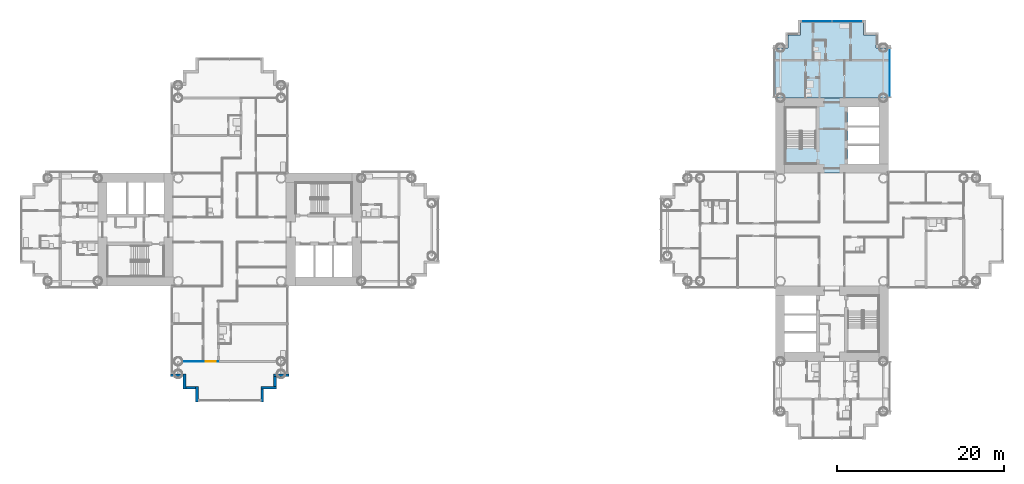
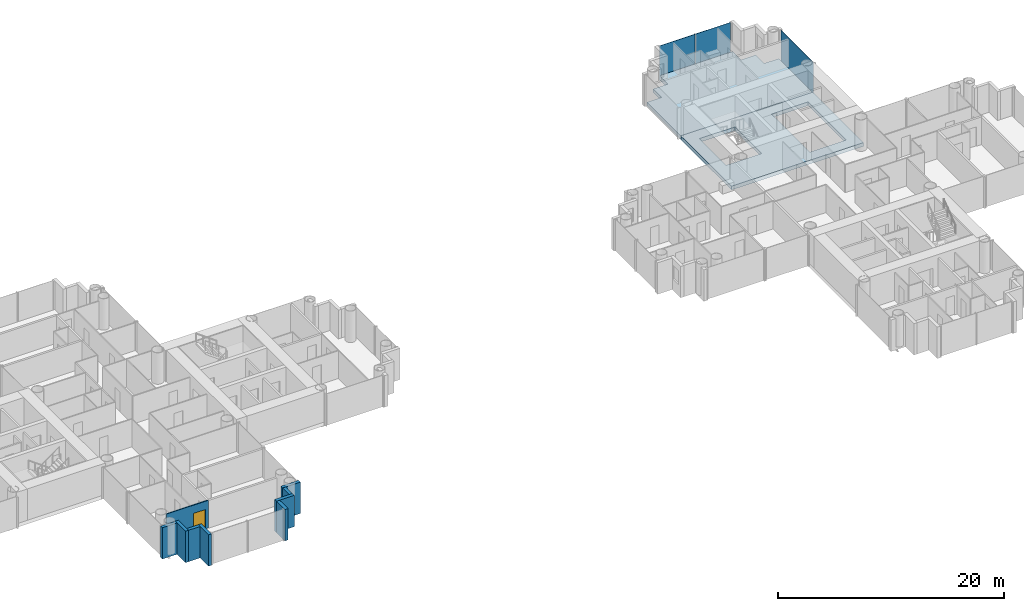
# One storey, part 8 of 22: 9 walls, 3 plates, 2 slabs, 1 door, 1 opening, 2 elements without a shape of their own.
"""IFC4 building model written with IfcOpenShell, lengths in metres."""

from ifc_helpers import new_model, si_unit, direction, frame, frame_2d, origin, origin_2d, place, context, subcontext, project, spatial, polyline, rectangle, outline, extrude, material, layer, layer_set, type_object, element, fill, aggregate, save


model = new_model("IFC4")

# Units and contexts
model_context = context("Model", 3, precision=1e-05, world=origin(), true_north=direction((0.0, 1.0)))
body_context = subcontext(model_context, "Body", "Model", "MODEL_VIEW")
ifc_project = project(units=[si_unit("LENGTHUNIT", "METRE"), si_unit("AREAUNIT", "SQUARE_METRE"), si_unit("VOLUMEUNIT", "CUBIC_METRE"), si_unit("PLANEANGLEUNIT", "RADIAN"), si_unit("MASSUNIT", "GRAM", prefix="KILO")], contexts=[model_context])

# Site, building, storey
site_placement = place(None, origin())
site = spatial("IfcSite", under=ifc_project, at=site_placement, CompositionType="ELEMENT")
building_placement = place(site_placement, origin())
building = spatial("IfcBuilding", under=site, at=building_placement, Name="Ipe Terrace Towers", CompositionType="ELEMENT")
storey_placement = place(building_placement, frame((0.0, 0.0, 61.89990234375)))
storey = spatial("IfcBuildingStorey", under=building, at=storey_placement, Name="L16", CompositionType="ELEMENT", Elevation=61.89990234375)

# Slabs
ifc_material_1 = material(Name="Concrete C30/37", Category="concrete")
ifc_layer_1 = layer(ifc_material_1, 0.39990234375)
ifc_layer_set_1 = layer_set([ifc_layer_1], Name="CORE FLOOR SLAB 400 C30-37")
slab_type_1 = type_object("IfcSlabType", Name="CORE FLOOR SLAB 400 C30-37", PredefinedType="FLOOR", material=ifc_layer_set_1)
slab_1_placement = place(storey_placement, frame((0.0, 0.0, -0.39990234375)))
element("IfcSlab", 1, at=slab_1_placement, inside=storey, type_object=slab_type_1, Name="Core floor T2-C1", PredefinedType="FLOOR", context=body_context, shape_type="SweptSolid", body=[
    extrude(outline(polyline([(29.25, 6.75), (29.25, 15.75), (42.75, 15.75), (42.75, 6.75), (29.25, 6.75)]), holes=[polyline([(41.64990234375, 7.85009765625), (41.64990234375, 14.64990234375), (37.89990234375, 14.64990234375), (37.89990234375, 7.85009765625), (41.64990234375, 7.85009765625)]), polyline([(30.449951171875, 9.800048828125), (34.10009765625, 9.800048828125), (34.10009765625, 14.550048828125), (30.449951171875, 14.550048828125), (30.449951171875, 9.800048828125)])]), origin(), (0.0, 0.0, 1.0), 0.39990234375),
])
ifc_material_2 = material(Name="Concrete C40/50", Category="concrete")
ifc_layer_2 = layer(ifc_material_2, 0.39990234375)
ifc_layer_set_2 = layer_set([ifc_layer_2], Name="FLAT PLATE SLAB 400 C40-50")
slab_type_2 = type_object("IfcSlabType", Name="FLAT PLATE SLAB 400 C40-50", PredefinedType="FLOOR", material=ifc_layer_set_2)
slab_2_placement = place(storey_placement, frame((0.0, 0.0, -0.39990234375)))
element("IfcSlab", 2, at=slab_2_placement, inside=storey, type_object=slab_type_2, Name="Slab T2-FS-Z13", PredefinedType="FLOOR", context=body_context, shape_type="SweptSolid", body=[
    extrude(outline(polyline([(30.75, 21.75), (30.75, 23.25), (32.25, 23.25), (32.25, 24.75), (39.75, 24.75), (39.75, 23.25), (41.25, 23.25), (41.25, 21.75), (42.75, 21.75), (42.75, 15.75), (29.25, 15.75), (29.25, 21.75), (30.75, 21.75)])), origin(), (0.0, 0.0, 1.0), 0.39990234375),
])

# Curtain wall, plate
ifc_material_3 = material(Name="Aluminium alloy 6063-T6", Category="aluminium")
ifc_layer_3 = layer(ifc_material_3, 0.320068359375)
ifc_layer_set_3 = layer_set([ifc_layer_3], Name="TOWER UNITISED CURTAIN WALL")
curtain_wall_type = type_object("IfcCurtainWallType", Name="TOWER UNITISED CURTAIN WALL", PredefinedType="NOTDEFINED", material=ifc_layer_set_3)
curtain_wall_1_placement = place(storey_placement, origin())
curtain_wall_1 = element("IfcCurtainWall", 3, at=curtain_wall_1_placement, inside=storey, type_object=curtain_wall_type, Name="T2-CW-L16-20b curtain wall", PredefinedType="NOTDEFINED")
ifc_material_4 = material(Name="Glass, clear laminated", Category="glass")
ifc_layer_4 = layer(ifc_material_4, 0.031982421875)
ifc_layer_set_4 = layer_set([ifc_layer_4], Name="TOWER UNITISED GLASS PANEL 32")
plate_type = type_object("IfcPlateType", Name="TOWER UNITISED GLASS PANEL 32", PredefinedType="CURTAIN_PANEL", material=ifc_layer_set_4)
plate_1_placement = place(storey_placement, frame((42.909912109375, 18.75048828125, -0.2998046875), z_axis=(0.0, 0.0, 1.0), x_axis=(0.0, 1.0, 0.0)))
plate_1 = element("IfcPlate", 4, at=plate_1_placement, type_object=plate_type, Name="T2-CW-L16-20b panel 1", PredefinedType="CURTAIN_PANEL", context=body_context, shape_type="SweptSolid", body=[
    extrude(rectangle(XDim=5.759033203125, YDim=0.031982421875, at=origin_2d()), origin(), (0.0, 0.0, 1.0), 3.39990234375),
])
aggregate(curtain_wall_1, [plate_1])

# Curtain wall, plates
curtain_wall_2_placement = place(storey_placement, origin())
curtain_wall_2 = element("IfcCurtainWall", 5, at=curtain_wall_2_placement, inside=storey, type_object=curtain_wall_type, Name="T2-CW-L16-25a curtain wall", PredefinedType="NOTDEFINED")
plate_2_placement = place(storey_placement, frame((37.831298828125, 24.909912109375, -0.2998046875), z_axis=(0.0, 0.0, 1.0), x_axis=(-1.0, 0.0, 0.0)))
plate_2 = element("IfcPlate", 6, at=plate_2_placement, type_object=plate_type, Name="T2-CW-L16-25a panel 1", PredefinedType="CURTAIN_PANEL", context=body_context, shape_type="SweptSolid", body=[
    extrude(rectangle(XDim=3.597412109375, YDim=0.031982421875, at=origin_2d()), origin(), (0.0, 0.0, 1.0), 3.39990234375),
])
plate_3_placement = place(storey_placement, frame((34.168701171875, 24.909912109375, -0.2998046875), z_axis=(0.0, 0.0, 1.0), x_axis=(-1.0, 0.0, 0.0)))
plate_3 = element("IfcPlate", 7, at=plate_3_placement, type_object=plate_type, Name="T2-CW-L16-25a panel 2", PredefinedType="CURTAIN_PANEL", context=body_context, shape_type="SweptSolid", body=[
    extrude(rectangle(XDim=3.597412109375, YDim=0.031982421875, at=origin_2d()), origin(), (0.0, 0.0, 1.0), 3.39990234375),
])
aggregate(curtain_wall_2, [plate_2, plate_3])

# Walls
ifc_material_5 = material(Name="Concrete C40/50 with buff precast cladding", Category="concrete")
ifc_layer_5 = layer(ifc_material_5, 0.320068359375)
ifc_layer_set_5 = layer_set([ifc_layer_5], Name="BUFF CLADDING WALL 320")
wall_type_1 = type_object("IfcWallType", Name="BUFF CLADDING WALL 320", PredefinedType="STANDARD", material=ifc_layer_set_5)
wall_1_placement = place(storey_placement, frame((-43.070068359375, -17.409912109375, -0.2998046875), z_axis=(0.0, 0.0, 1.0), x_axis=(1.0, 0.0, 0.0)))
element("IfcWall", 8, at=wall_1_placement, inside=storey, type_object=wall_type_1, Name="T1-W-L16-08a wall", PredefinedType="STANDARD", context=body_context, shape_type="SweptSolid", body=[
    extrude(rectangle(XDim=1.5, YDim=0.320068359375, at=frame_2d((0.75, 0.0))), origin(), (0.0, 0.0, 1.0), 3.39990234375),
])
wall_2_placement = place(storey_placement, frame((-41.409912109375, -17.25, -0.2998046875), z_axis=(0.0, 0.0, 1.0), x_axis=(0.0, -1.0, 0.0)))
element("IfcWall", 9, at=wall_2_placement, inside=storey, type_object=wall_type_1, Name="T1-W-L16-09a wall", PredefinedType="STANDARD", context=body_context, shape_type="SweptSolid", body=[
    extrude(rectangle(XDim=1.820068359375, YDim=0.320068359375, at=frame_2d((0.91015625, 0.0))), origin(), (0.0, 0.0, 1.0), 3.39990234375),
])
wall_3_placement = place(storey_placement, frame((-41.25, -18.909912109375, -0.2998046875), z_axis=(0.0, 0.0, 1.0), x_axis=(1.0, 0.0, 0.0)))
element("IfcWall", 10, at=wall_3_placement, inside=storey, type_object=wall_type_1, Name="T1-W-L16-10a wall", PredefinedType="STANDARD", context=body_context, shape_type="SweptSolid", body=[
    extrude(rectangle(XDim=1.179931640625, YDim=0.320068359375, at=frame_2d((0.58984375, 0.0))), origin(), (0.0, 0.0, 1.0), 3.39990234375),
])
wall_4_placement = place(storey_placement, frame((-39.909912109375, -18.75, -0.2998046875), z_axis=(0.0, 0.0, 1.0), x_axis=(0.0, -1.0, 0.0)))
element("IfcWall", 11, at=wall_4_placement, inside=storey, type_object=wall_type_1, Name="T1-W-L16-11a wall", PredefinedType="STANDARD", context=body_context, shape_type="SweptSolid", body=[
    extrude(rectangle(XDim=1.820068359375, YDim=0.320068359375, at=frame_2d((0.91015625, 0.0))), origin(), (0.0, 0.0, 1.0), 3.39990234375),
])
wall_5_placement = place(storey_placement, frame((-32.090087890625, -20.570068359375, -0.2998046875), z_axis=(0.0, 0.0, 1.0), x_axis=(0.0, 1.0, 0.0)))
element("IfcWall", 12, at=wall_5_placement, inside=storey, type_object=wall_type_1, Name="T1-W-L16-13a wall", PredefinedType="STANDARD", context=body_context, shape_type="SweptSolid", body=[
    extrude(rectangle(XDim=1.5, YDim=0.320068359375, at=frame_2d((0.75, 0.0))), origin(), (0.0, 0.0, 1.0), 3.39990234375),
])
wall_6_placement = place(storey_placement, frame((-32.25, -18.909912109375, -0.2998046875), z_axis=(0.0, 0.0, 1.0), x_axis=(1.0, 0.0, 0.0)))
element("IfcWall", 13, at=wall_6_placement, inside=storey, type_object=wall_type_1, Name="T1-W-L16-14a wall", PredefinedType="STANDARD", context=body_context, shape_type="SweptSolid", body=[
    extrude(rectangle(XDim=1.820068359375, YDim=0.320068359375, at=frame_2d((0.91015625, 0.0))), origin(), (0.0, 0.0, 1.0), 3.39990234375),
])
wall_7_placement = place(storey_placement, frame((-30.590087890625, -18.75, -0.2998046875), z_axis=(0.0, 0.0, 1.0), x_axis=(0.0, 1.0, 0.0)))
element("IfcWall", 14, at=wall_7_placement, inside=storey, type_object=wall_type_1, Name="T1-W-L16-15a wall", PredefinedType="STANDARD", context=body_context, shape_type="SweptSolid", body=[
    extrude(rectangle(XDim=1.179931640625, YDim=0.320068359375, at=frame_2d((0.58984375, 0.0))), origin(), (0.0, 0.0, 1.0), 3.39990234375),
])
wall_8_placement = place(storey_placement, frame((-30.75, -17.409912109375, -0.2998046875), z_axis=(0.0, 0.0, 1.0), x_axis=(1.0, 0.0, 0.0)))
element("IfcWall", 15, at=wall_8_placement, inside=storey, type_object=wall_type_1, Name="T1-W-L16-16a wall", PredefinedType="STANDARD", context=body_context, shape_type="SweptSolid", body=[
    extrude(rectangle(XDim=1.820068359375, YDim=0.320068359375, at=frame_2d((0.91015625, 0.0))), origin(), (0.0, 0.0, 1.0), 3.39990234375),
])

# Wall, opening, door
ifc_material_6 = material(Name="Gypsum board partition", Category="plasterboard")
ifc_layer_6 = layer(ifc_material_6, 0.10009765625)
ifc_layer_set_6 = layer_set([ifc_layer_6], Name="Gypsum board partition 100 mm")
wall_type_2 = type_object("IfcWallType", Name="Gypsum board partition 100 mm", PredefinedType="PARTITIONING", material=ifc_layer_set_6)
wall_9_placement = place(storey_placement, frame((-41.64990234375, -15.75, 0.0), z_axis=(0.0, 0.0, 1.0), x_axis=(1.0, 0.0, 0.0)))
wall_9 = element("IfcWall", 16, at=wall_9_placement, inside=storey, type_object=wall_type_2, Name="Gypsum board partition T1 L16 W22", PredefinedType="PARTITIONING", context=body_context, shape_type="SweptSolid", body=[
    extrude(rectangle(XDim=4.2998046875, YDim=0.10009765625, at=frame_2d((2.14990234375, 0.0))), origin(), (0.0, 0.0, 1.0), 3.0),
])
opening_placement = place(wall_9_placement, frame((2.800048828125, 0.0, 0.0)))
opening = element("IfcOpeningElement", 17, at=opening_placement, cuts=wall_9, Name="Opening T1-Z1D-20", PredefinedType="OPENING", context=body_context, shape_type="SweptSolid", body=[
    extrude(rectangle(XDim=1.199951171875, YDim=2.10009765625, at=frame_2d((0.60009765625, 1.050048828125))), frame((0.0, 0.06005859375, 0.0), z_axis=(0.0, -1.0, 0.0), x_axis=(1.0, 0.0, 0.0)), (0.0, 0.0, 1.0), 0.1201171875),
])
ifc_material_7 = material(Name="Timber door leaf", Category="wood")
door_type = type_object("IfcDoorType", Name="Lounge door 1200 x 2100", OperationType="NOTDEFINED", PredefinedType="DOOR", material=ifc_material_7)
door_placement = place(opening_placement, origin())
door = element("IfcDoor", 18, at=door_placement, inside=storey, type_object=door_type, Name="Lounge door T1-Z1D-20", OperationType="SINGLE_SWING_RIGHT", OverallHeight=2.10009765625, OverallWidth=1.199951171875, PredefinedType="DOOR", context=body_context, shape_type="SweptSolid", body=[
    extrude(rectangle(XDim=1.199951171875, YDim=2.10009765625, at=frame_2d((0.60009765625, 1.050048828125))), frame((0.0, 0.02490234375, 0.0), z_axis=(0.0, -1.0, 0.0), x_axis=(1.0, 0.0, 0.0)), (0.0, 0.0, 1.0), 0.050048828125),
])
fill(opening, door)

save(model, "model.ifc")
